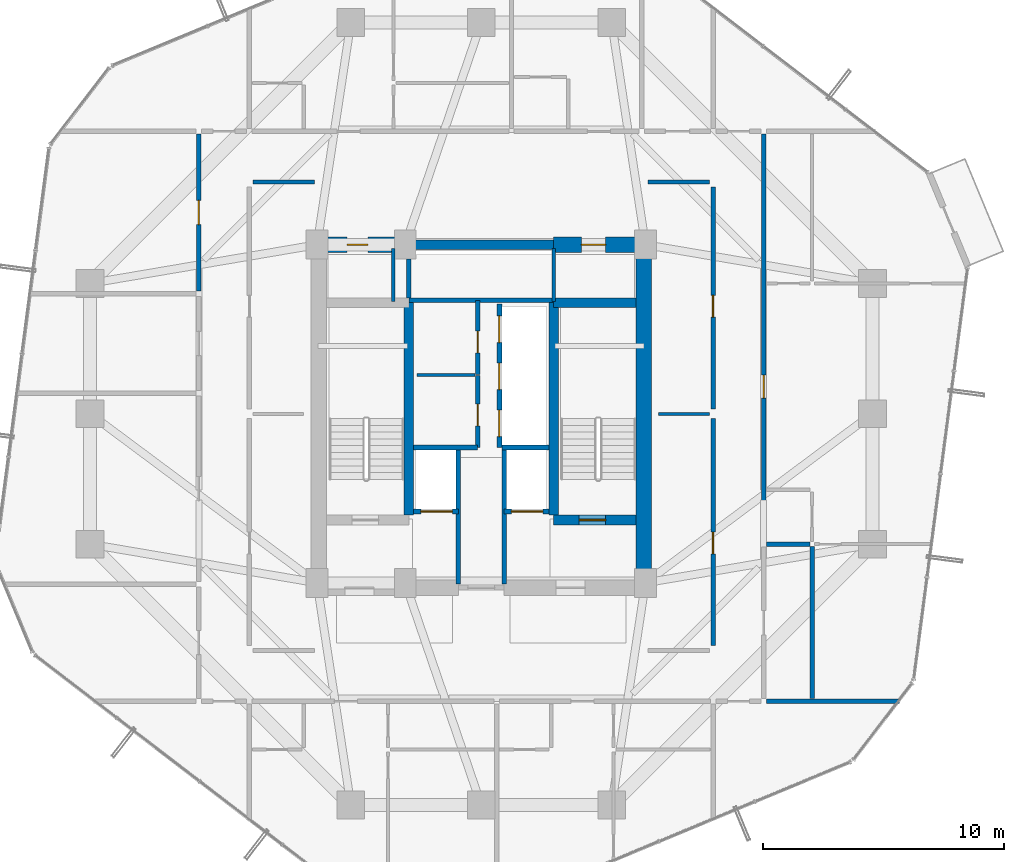
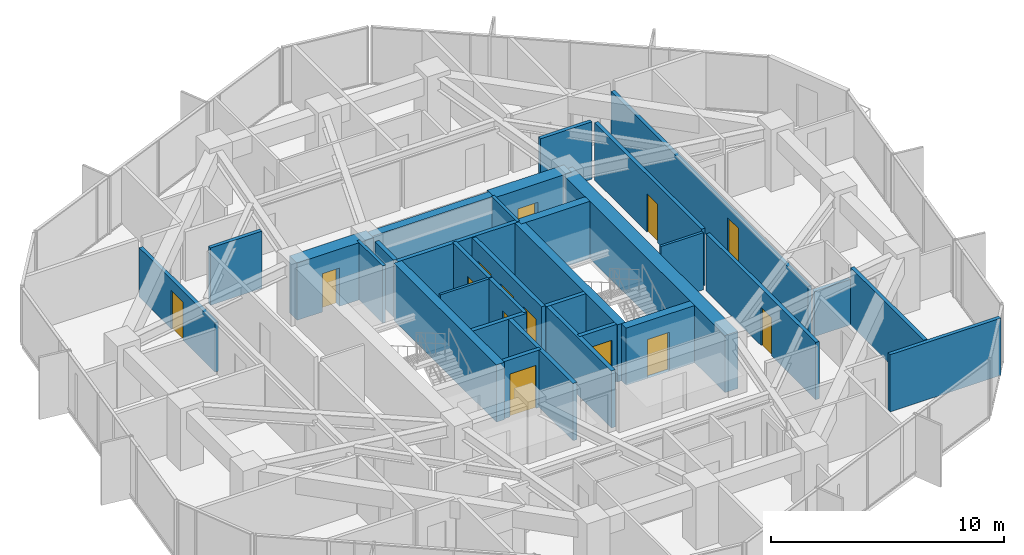
# One storey, part 26 of 30: 32 walls, 14 doors, 14 openings.
"""IFC4 building model written with IfcOpenShell, lengths in metres."""

from ifc_helpers import new_model, si_unit, direction, frame, frame_2d, origin, place, context, subcontext, project, spatial, rectangle, extrude, source, transform, mapped, material, layer, layer_set, type_object, element, fill, save


model = new_model("IFC4")

# Units and contexts
model_context = context("Model", 3, precision=1e-05, world=origin(), true_north=direction((0.0, 1.0)))
body_context = subcontext(model_context, "Body", "Model", "MODEL_VIEW")
ifc_project = project(units=[si_unit("LENGTHUNIT", "METRE"), si_unit("AREAUNIT", "SQUARE_METRE"), si_unit("VOLUMEUNIT", "CUBIC_METRE"), si_unit("PLANEANGLEUNIT", "RADIAN"), si_unit("MASSUNIT", "GRAM", prefix="KILO")], contexts=[model_context])

# Site, building, storey
site_placement = place(None, origin())
site = spatial("IfcSite", under=ifc_project, at=site_placement, CompositionType="ELEMENT")
building_placement = place(site_placement, origin())
building = spatial("IfcBuilding", under=site, at=building_placement, Name="Veraguas Prism Commons", CompositionType="ELEMENT")
storey_placement = place(building_placement, frame((0.0, 0.0, 102.449951171875)))
storey = spatial("IfcBuildingStorey", under=building, at=storey_placement, Name="L28", CompositionType="ELEMENT", Elevation=102.449951171875)

# Wall
ifc_material_1 = material(Name="Concrete C50/60", Category="concrete")
ifc_layer_1 = layer(ifc_material_1, 0.39990234375, Name="Clinic and Mid Core Shear Wall RC 400", Category="concrete")
ifc_layer_set_1 = layer_set([ifc_layer_1], Name="Concrete C50/60")
wall_type_1 = type_object("IfcWallType", Name="Clinic and Mid Core Shear Wall RC 400", PredefinedType="SHEAR", material=ifc_layer_set_1)
wall_1_placement = place(storey_placement, frame((21.0, 31.0, 0.0), z_axis=(0.0, 0.0, 1.0), x_axis=(1.0, 0.0, 0.0)))
element("IfcWall", 1, at=wall_1_placement, inside=storey, type_object=wall_type_1, Name="High-Rise Lift Bank Front Shear Wall L28", PredefinedType="SHEAR", context=body_context, shape_type="SweptSolid", body=[
    extrude(rectangle(XDim=6.0, YDim=0.39990234375, at=frame_2d((3.0, 0.0))), origin(), (0.0, 0.0, 1.0), 3.0),
])

# Wall, opening, door
wall_2_placement = place(storey_placement, frame((27.0, 19.60009765625, 0.0), z_axis=(0.0, 0.0, 1.0), x_axis=(1.0, 0.0, 0.0)))
wall_2 = element("IfcWall", 2, at=wall_2_placement, inside=storey, type_object=wall_type_1, Name="Stair ST-02 South Shear Wall L28", PredefinedType="SHEAR", context=body_context, shape_type="SweptSolid", body=[
    extrude(rectangle(XDim=3.39990234375, YDim=0.39990234375, at=frame_2d((1.699951171875, 0.0))), origin(), (0.0, 0.0, 1.0), 3.0),
])
opening_1_placement = place(wall_2_placement, frame((1.050048828125, 0.0, 0.0)))
opening_1 = element("IfcOpeningElement", 3, at=opening_1_placement, cuts=wall_2, Name="Opening DR-05", PredefinedType="OPENING", context=body_context, shape_type="SweptSolid", body=[
    extrude(rectangle(XDim=1.10009765625, YDim=2.030029296875, at=frame_2d((0.550048828125, 1.01513671875))), frame((0.0, 0.2099609375, 0.0), z_axis=(0.0, -1.0, 0.0), x_axis=(1.0, 0.0, 0.0)), (0.0, 0.0, 1.0), 0.419921875),
])
ifc_material_2 = material(Name="Steel fire-rated door assembly", Category="steel")
door_type_1 = type_object("IfcDoorType", Name="Protected Stair and Refuge Fire Door 1100x2030", OperationType="NOTDEFINED", PredefinedType="DOOR", material=ifc_material_2)
shared_shape_1 = source(origin(), body_context, "Body", "SweptSolid", [
    extrude(rectangle(XDim=1.10009765625, YDim=2.030029296875, at=frame_2d((0.550048828125, 1.01513671875))), frame((0.0, 0.02490234375, 0.0), z_axis=(0.0, -1.0, 0.0), x_axis=(1.0, 0.0, 0.0)), (0.0, 0.0, 1.0), 0.050048828125),
])
door_1_placement = place(opening_1_placement, origin())
door_1 = element("IfcDoor", 4, at=door_1_placement, inside=storey, type_object=door_type_1, Name="Stair ST-02 Enclosure Door L28", OperationType="SINGLE_SWING_LEFT", OverallHeight=2.030029296875, OverallWidth=1.10009765625, PredefinedType="DOOR", context=body_context, shape_type="MappedRepresentation", body=[
    mapped(shared_shape_1, transform((0.0, 0.0, 0.0), scale=1.0)),
])
fill(opening_1, door_1)

# Walls
for number, where, z_axis, x_axis, name in (
    (5, (21.0, 19.800048828125, 0.0), (0.0, 0.0, 1.0), (0.0, 1.0, 0.0), "Stair ST-01 Inner Shear Wall L28"),
    (6, (27.0, 19.800048828125, 0.0), (0.0, 0.0, 1.0), (0.0, 1.0, 0.0), "Stair ST-02 Inner Shear Wall L28"),
):
    element("IfcWall", number, at=place(storey_placement, frame(where, z_axis=z_axis, x_axis=x_axis)), inside=storey, type_object=wall_type_1, Name=name, PredefinedType="SHEAR", context=body_context, shape_type="SweptSolid", body=[
        extrude(rectangle(XDim=8.800048828125, YDim=0.39990234375, at=frame_2d((4.39990234375, 0.0))), origin(), (0.0, 0.0, 1.0), 3.0),
    ])
wall_3_placement = place(storey_placement, frame((27.0, 28.60009765625, 0.0), z_axis=(0.0, 0.0, 1.0), x_axis=(1.0, 0.0, 0.0)))
element("IfcWall", 7, at=wall_3_placement, inside=storey, type_object=wall_type_1, Name="Stair ST-02 North Shear Wall L28", PredefinedType="SHEAR", context=body_context, shape_type="SweptSolid", body=[
    extrude(rectangle(XDim=3.39990234375, YDim=0.39990234375, at=frame_2d((1.699951171875, 0.0))), origin(), (0.0, 0.0, 1.0), 3.0),
])
ifc_material_3 = material(Name="Concrete C55/67", Category="concrete")
ifc_layer_2 = layer(ifc_material_3, 0.64990234375, Name="Core Outer Shear Wall Mid RC 650", Category="concrete")
ifc_layer_set_2 = layer_set([ifc_layer_2], Name="Concrete C55/67")
wall_type_2 = type_object("IfcWallType", Name="Core Outer Shear Wall Mid RC 650", PredefinedType="SHEAR", material=ifc_layer_set_2)
wall_4_placement = place(storey_placement, frame((30.72509765625, 16.800048828125, 0.0), z_axis=(0.0, 0.0, 1.0), x_axis=(0.0, 1.0, 0.0)))
element("IfcWall", 8, at=wall_4_placement, inside=storey, type_object=wall_type_2, Name="Central Core East Shear Wall L28", PredefinedType="SHEAR", context=body_context, shape_type="SweptSolid", body=[
    extrude(rectangle(XDim=14.199951171875, YDim=0.64990234375, at=frame_2d((7.10009765625, 0.0))), origin(), (0.0, 0.0, 1.0), 3.0),
])

# Wall, opening, door
wall_5_placement = place(storey_placement, frame((17.199951171875, 31.0, 0.0), z_axis=(0.0, 0.0, 1.0), x_axis=(1.0, 0.0, 0.0)))
wall_5 = element("IfcWall", 9, at=wall_5_placement, inside=storey, type_object=wall_type_2, Name="Central Core North-West Shear Wall L28", PredefinedType="SHEAR", context=body_context, shape_type="SweptSolid", body=[
    extrude(rectangle(XDim=3.800048828125, YDim=0.64990234375, at=frame_2d((1.89990234375, 0.0))), origin(), (0.0, 0.0, 1.0), 3.0),
])
opening_2_placement = place(wall_5_placement, frame((1.25, 0.0, 0.0)))
opening_2 = element("IfcOpeningElement", 10, at=opening_2_placement, cuts=wall_5, Name="Opening DR-12", PredefinedType="OPENING", context=body_context, shape_type="SweptSolid", body=[
    extrude(rectangle(XDim=0.860107421875, YDim=2.010009765625, at=frame_2d((0.43017578125, 1.0048828125))), frame((0.0, 0.3349609375, 0.0), z_axis=(0.0, -1.0, 0.0), x_axis=(1.0, 0.0, 0.0)), (0.0, 0.0, 1.0), 0.669921875),
])
door_type_2 = type_object("IfcDoorType", Name="Core WC Fire Door 860x2010", OperationType="NOTDEFINED", PredefinedType="DOOR", material=ifc_material_2)
shared_shape_2 = source(origin(), body_context, "Body", "SweptSolid", [
    extrude(rectangle(XDim=0.860107421875, YDim=2.010009765625, at=frame_2d((0.43017578125, 1.0048828125))), frame((0.0, 0.02490234375, 0.0), z_axis=(0.0, -1.0, 0.0), x_axis=(1.0, 0.0, 0.0)), (0.0, 0.0, 1.0), 0.050048828125),
])
door_2_placement = place(opening_2_placement, origin())
door_2 = element("IfcDoor", 11, at=door_2_placement, inside=storey, type_object=door_type_2, Name="Core NW Service Door L28", OperationType="SINGLE_SWING_RIGHT", OverallHeight=2.010009765625, OverallWidth=0.860107421875, PredefinedType="DOOR", context=body_context, shape_type="MappedRepresentation", body=[
    mapped(shared_shape_2, transform((0.0, 0.0, 0.0), scale=1.0)),
])
fill(opening_2, door_2)

wall_6_placement = place(storey_placement, frame((27.0, 31.0, 0.0), z_axis=(0.0, 0.0, 1.0), x_axis=(1.0, 0.0, 0.0)))
wall_6 = element("IfcWall", 12, at=wall_6_placement, inside=storey, type_object=wall_type_2, Name="Central Core North-East Shear Wall L28", PredefinedType="SHEAR", context=body_context, shape_type="SweptSolid", body=[
    extrude(rectangle(XDim=3.800048828125, YDim=0.64990234375, at=frame_2d((1.89990234375, 0.0))), origin(), (0.0, 0.0, 1.0), 3.0),
])
opening_3_placement = place(wall_6_placement, frame((1.14990234375, 0.0, 0.0)))
opening_3 = element("IfcOpeningElement", 13, at=opening_3_placement, cuts=wall_6, Name="Opening DR-13", PredefinedType="OPENING", context=body_context, shape_type="SweptSolid", body=[
    extrude(rectangle(XDim=1.0, YDim=2.010009765625, at=frame_2d((0.5, 1.0048828125))), frame((0.0, 0.3349609375, 0.0), z_axis=(0.0, -1.0, 0.0), x_axis=(1.0, 0.0, 0.0)), (0.0, 0.0, 1.0), 0.669921875),
])
door_type_3 = type_object("IfcDoorType", Name="Core Accessible WC and Clinic Fire Door 1000x2010", OperationType="NOTDEFINED", PredefinedType="DOOR", material=ifc_material_2)
shared_shape_3 = source(origin(), body_context, "Body", "SweptSolid", [
    extrude(rectangle(XDim=1.0, YDim=2.010009765625, at=frame_2d((0.5, 1.0048828125))), frame((0.0, 0.02490234375, 0.0), z_axis=(0.0, -1.0, 0.0), x_axis=(1.0, 0.0, 0.0)), (0.0, 0.0, 1.0), 0.050048828125),
])
door_3_placement = place(opening_3_placement, origin())
door_3 = element("IfcDoor", 14, at=door_3_placement, inside=storey, type_object=door_type_3, Name="Core NE Pantry Door L28", OperationType="SINGLE_SWING_LEFT", OverallHeight=2.010009765625, OverallWidth=1.0, PredefinedType="DOOR", context=body_context, shape_type="MappedRepresentation", body=[
    mapped(shared_shape_3, transform((0.0, 0.0, 0.0), scale=1.0)),
])
fill(opening_3, door_3)

ifc_material_4 = material(Name="Autoclaved aerated masonry block 10 MPa", Category="masonry")
ifc_layer_3 = layer(ifc_material_4, 0.179931640625, Name="Corridor and Inter-Tenancy Partition 180", Category="masonry")
ifc_layer_set_3 = layer_set([ifc_layer_3], Name="Autoclaved aerated masonry block 10 MPa")
wall_type_3 = type_object("IfcWallType", Name="Corridor and Inter-Tenancy Partition 180", PredefinedType="PARTITIONING", material=ifc_layer_set_3)
wall_7_placement = place(storey_placement, frame((23.85009765625, 22.60009765625, 0.0), z_axis=(0.0, 0.0, 1.0), x_axis=(0.0, 1.0, 0.0)))
wall_7 = element("IfcWall", 15, at=wall_7_placement, inside=storey, type_object=wall_type_3, Name="Co-op Pantry Partition L28", PredefinedType="PARTITIONING", context=body_context, shape_type="SweptSolid", body=[
    extrude(rectangle(XDim=2.97998046875, YDim=0.179931640625, at=frame_2d((1.489990234375, 0.0))), origin(), (0.0, 0.0, 1.0), 3.0),
])
opening_4_placement = place(wall_7_placement, frame((0.89990234375, 0.0, 0.0)))
opening_4 = element("IfcOpeningElement", 16, at=opening_4_placement, cuts=wall_7, Name="Opening DR-14", PredefinedType="OPENING", context=body_context, shape_type="SweptSolid", body=[
    extrude(rectangle(XDim=0.89990234375, YDim=2.010009765625, at=frame_2d((0.449951171875, 1.0048828125))), frame((0.0, 0.099853515625, 0.0), z_axis=(0.0, -1.0, 0.0), x_axis=(1.0, 0.0, 0.0)), (0.0, 0.0, 1.0), 0.199951171875),
])
door_type_4 = type_object("IfcDoorType", Name="Core Service Room Fire Door 900x2010", OperationType="NOTDEFINED", PredefinedType="DOOR", material=ifc_material_2)
shared_shape_4 = source(origin(), body_context, "Body", "SweptSolid", [
    extrude(rectangle(XDim=0.89990234375, YDim=2.010009765625, at=frame_2d((0.449951171875, 1.0048828125))), frame((0.0, 0.02490234375, 0.0), z_axis=(0.0, -1.0, 0.0), x_axis=(1.0, 0.0, 0.0)), (0.0, 0.0, 1.0), 0.050048828125),
])
door_4_placement = place(opening_4_placement, origin())
door_4 = element("IfcDoor", 17, at=door_4_placement, inside=storey, type_object=door_type_4, Name="Co-op Pantry Door L28", OperationType="SINGLE_SWING_RIGHT", OverallHeight=2.010009765625, OverallWidth=0.89990234375, PredefinedType="DOOR", context=body_context, shape_type="MappedRepresentation", body=[
    mapped(shared_shape_4, transform((0.0, 0.0, 0.0), scale=1.0)),
])
fill(opening_4, door_4)

wall_8_placement = place(storey_placement, frame((23.85009765625, 25.6201171875, 0.0), z_axis=(0.0, 0.0, 1.0), x_axis=(0.0, 1.0, 0.0)))
wall_8 = element("IfcWall", 18, at=wall_8_placement, inside=storey, type_object=wall_type_3, Name="Bookshop Alcove Partition L28", PredefinedType="PARTITIONING", context=body_context, shape_type="SweptSolid", body=[
    extrude(rectangle(XDim=3.079833984375, YDim=0.179931640625, at=frame_2d((1.5400390625, 0.0))), origin(), (0.0, 0.0, 1.0), 3.0),
])
opening_5_placement = place(wall_8_placement, frame((0.89990234375, 0.0, 0.0)))
opening_5 = element("IfcOpeningElement", 19, at=opening_5_placement, cuts=wall_8, Name="Opening DR-14", PredefinedType="OPENING", context=body_context, shape_type="SweptSolid", body=[
    extrude(rectangle(XDim=0.89990234375, YDim=2.010009765625, at=frame_2d((0.449951171875, 1.0048828125))), frame((0.0, 0.099853515625, 0.0), z_axis=(0.0, -1.0, 0.0), x_axis=(1.0, 0.0, 0.0)), (0.0, 0.0, 1.0), 0.199951171875),
])
door_5_placement = place(opening_5_placement, origin())
door_5 = element("IfcDoor", 20, at=door_5_placement, inside=storey, type_object=door_type_4, Name="Bookshop Alcove Door L28", OperationType="SINGLE_SWING_LEFT", OverallHeight=2.010009765625, OverallWidth=0.89990234375, PredefinedType="DOOR", context=body_context, shape_type="MappedRepresentation", body=[
    mapped(shared_shape_4, transform((0.0, 0.0, 0.0), scale=1.0)),
])
fill(opening_5, door_5)

wall_9_placement = place(storey_placement, frame((33.60009765625, 14.39990234375, 0.0), z_axis=(0.0, 0.0, 1.0), x_axis=(0.0, 1.0, 0.0)))
wall_9 = element("IfcWall", 21, at=wall_9_placement, inside=storey, type_object=wall_type_3, Name="WL-L28-IRE1", PredefinedType="PARTITIONING", context=body_context, shape_type="SweptSolid", body=[
    extrude(rectangle(XDim=9.400146484375, YDim=0.179931640625, at=frame_2d((4.7001953125, 0.0))), origin(), (0.0, 0.0, 1.0), 3.0),
])
opening_6_placement = place(wall_9_placement, frame((3.800048828125, 0.0, 0.0)))
opening_6 = element("IfcOpeningElement", 22, at=opening_6_placement, cuts=wall_9, Name="Opening DR-14", PredefinedType="OPENING", context=body_context, shape_type="SweptSolid", body=[
    extrude(rectangle(XDim=0.89990234375, YDim=2.010009765625, at=frame_2d((0.449951171875, 1.0048828125))), frame((0.0, 0.099853515625, 0.0), z_axis=(0.0, -1.0, 0.0), x_axis=(1.0, 0.0, 0.0)), (0.0, 0.0, 1.0), 0.199951171875),
])
door_6_placement = place(opening_6_placement, origin())
door_6 = element("IfcDoor", 23, at=door_6_placement, inside=storey, type_object=door_type_4, Name="Shared Laundry Annex Door L28", OperationType="SINGLE_SWING_RIGHT", OverallHeight=2.010009765625, OverallWidth=0.89990234375, PredefinedType="DOOR", context=body_context, shape_type="MappedRepresentation", body=[
    mapped(shared_shape_4, transform((0.0, 0.0, 0.0), scale=1.0)),
])
fill(opening_6, door_6)

wall_10_placement = place(storey_placement, frame((33.60009765625, 24.199951171875, 0.0), z_axis=(0.0, 0.0, 1.0), x_axis=(0.0, 1.0, 0.0)))
wall_10 = element("IfcWall", 24, at=wall_10_placement, inside=storey, type_object=wall_type_3, Name="WL-L28-IRE2", PredefinedType="PARTITIONING", context=body_context, shape_type="SweptSolid", body=[
    extrude(rectangle(XDim=9.199951171875, YDim=0.179931640625, at=frame_2d((4.60009765625, 0.0))), origin(), (0.0, 0.0, 1.0), 3.0),
])
opening_7_placement = place(wall_10_placement, frame((3.800048828125, 0.0, 0.0)))
opening_7 = element("IfcOpeningElement", 25, at=opening_7_placement, cuts=wall_10, Name="Opening DR-14", PredefinedType="OPENING", context=body_context, shape_type="SweptSolid", body=[
    extrude(rectangle(XDim=0.89990234375, YDim=2.010009765625, at=frame_2d((0.449951171875, 1.0048828125))), frame((0.0, 0.099853515625, 0.0), z_axis=(0.0, -1.0, 0.0), x_axis=(1.0, 0.0, 0.0)), (0.0, 0.0, 1.0), 0.199951171875),
])
door_7_placement = place(opening_7_placement, origin())
door_7 = element("IfcDoor", 26, at=door_7_placement, inside=storey, type_object=door_type_4, Name="Community Reading Alcove Door L28", OperationType="SINGLE_SWING_LEFT", OverallHeight=2.010009765625, OverallWidth=0.89990234375, PredefinedType="DOOR", context=body_context, shape_type="MappedRepresentation", body=[
    mapped(shared_shape_4, transform((0.0, 0.0, 0.0), scale=1.0)),
])
fill(opening_7, door_7)

# Walls
for number, where, z_axis, x_axis, name in (
    (27, (14.550048828125, 33.60009765625, 0.0), (0.0, 0.0, 1.0), (1.0, 0.0, 0.0), "WL-L28-IRWN"),
    (28, (30.89990234375, 33.60009765625, 0.0), (0.0, 0.0, 1.0), (1.0, 0.0, 0.0), "WL-L28-IREN"),
):
    element("IfcWall", number, at=place(storey_placement, frame(where, z_axis=z_axis, x_axis=x_axis)), inside=storey, type_object=wall_type_3, Name=name, PredefinedType="PARTITIONING", context=body_context, shape_type="SweptSolid", body=[
        extrude(rectangle(XDim=2.550048828125, YDim=0.179931640625, at=frame_2d((1.27490234375, 0.0))), origin(), (0.0, 0.0, 1.0), 3.0),
    ])

# Wall, opening, door
wall_11_placement = place(storey_placement, frame((12.300048828125, 29.083984375, 0.0), z_axis=(0.0, 0.0, 1.0), x_axis=(0.0, 1.0, 0.0)))
wall_11 = element("IfcWall", 29, at=wall_11_placement, inside=storey, type_object=wall_type_3, Name="WL-L28-PT037", PredefinedType="PARTITIONING", context=body_context, shape_type="SweptSolid", body=[
    extrude(rectangle(XDim=6.506103515625, YDim=0.179931640625, at=frame_2d((3.2529296875, 0.0))), origin(), (0.0, 0.0, 1.0), 2.580078125),
])
opening_8_placement = place(wall_11_placement, frame((2.7529296875, 0.0, 0.0)))
opening_8 = element("IfcOpeningElement", 30, at=opening_8_placement, cuts=wall_11, Name="Opening DR-13", PredefinedType="OPENING", context=body_context, shape_type="SweptSolid", body=[
    extrude(rectangle(XDim=1.0, YDim=2.010009765625, at=frame_2d((0.5, 1.0048828125))), frame((0.0, 0.099853515625, 0.0), z_axis=(0.0, -1.0, 0.0), x_axis=(1.0, 0.0, 0.0)), (0.0, 0.0, 1.0), 0.199951171875),
])
door_8_placement = place(opening_8_placement, origin())
door_8 = element("IfcDoor", 31, at=door_8_placement, inside=storey, type_object=door_type_3, Name="Co-op Store W Door", OperationType="SINGLE_SWING_RIGHT", OverallHeight=2.010009765625, OverallWidth=1.0, PredefinedType="DOOR", context=body_context, shape_type="MappedRepresentation", body=[
    mapped(shared_shape_3, transform((0.0, 0.0, 0.0), scale=1.0)),
])
fill(opening_8, door_8)

# Wall
wall_12_placement = place(storey_placement, frame((35.820068359375, 12.10009765625, 0.0), z_axis=(0.0, 0.0, 1.0), x_axis=(1.0, 0.0, 0.0)))
element("IfcWall", 32, at=wall_12_placement, inside=storey, type_object=wall_type_3, Name="WL-L28-PT039", PredefinedType="PARTITIONING", context=body_context, shape_type="SweptSolid", body=[
    extrude(rectangle(XDim=5.493896484375, YDim=0.179931640625, at=frame_2d((2.7470703125, 0.0))), origin(), (0.0, 0.0, 1.0), 3.0),
])

# Wall, opening, door
wall_13_placement = place(storey_placement, frame((35.699951171875, 18.7099609375, 0.0), z_axis=(0.0, 0.0, 1.0), x_axis=(0.0, 1.0, 0.0)))
wall_13 = element("IfcWall", 33, at=wall_13_placement, inside=storey, type_object=wall_type_3, Name="WL-L28-PT042", PredefinedType="PARTITIONING", context=body_context, shape_type="SweptSolid", body=[
    extrude(rectangle(XDim=16.880126953125, YDim=0.179931640625, at=frame_2d((8.43994140625, 0.0))), origin(), (0.0, 0.0, 1.0), 2.580078125),
])
opening_9_placement = place(wall_13_placement, frame((5.93994140625, 0.0, 0.0)))
opening_9 = element("IfcOpeningElement", 34, at=opening_9_placement, cuts=wall_13, Name="Opening DR-01", PredefinedType="OPENING", context=body_context, shape_type="SweptSolid", body=[
    extrude(rectangle(XDim=0.949951171875, YDim=2.02001953125, at=frame_2d((0.47509765625, 1.010009765625))), frame((0.0, 0.099853515625, 0.0), z_axis=(0.0, -1.0, 0.0), x_axis=(1.0, 0.0, 0.0)), (0.0, 0.0, 1.0), 0.199951171875),
])
ifc_material_5 = material(Name="Anodised aluminium EN AW-6063 T6", Category="aluminium")
door_type_5 = type_object("IfcDoorType", Name="Apartment Entrance Fire Door 950x2020", OperationType="NOTDEFINED", PredefinedType="DOOR", material=ifc_material_5)
shared_shape_5 = source(origin(), body_context, "Body", "SweptSolid", [
    extrude(rectangle(XDim=0.949951171875, YDim=2.02001953125, at=frame_2d((0.47509765625, 1.010009765625))), frame((0.0, 0.02490234375, 0.0), z_axis=(0.0, -1.0, 0.0), x_axis=(1.0, 0.0, 0.0)), (0.0, 0.0, 1.0), 0.050048828125),
])
door_9_placement = place(opening_9_placement, origin())
door_9 = element("IfcDoor", 35, at=door_9_placement, inside=storey, type_object=door_type_5, Name="Flat 28E Entrance Door", OperationType="SINGLE_SWING_RIGHT", OverallHeight=2.02001953125, OverallWidth=0.949951171875, PredefinedType="DOOR", context=body_context, shape_type="MappedRepresentation", body=[
    mapped(shared_shape_5, transform((0.0, 0.0, 0.0), scale=1.0)),
])
fill(opening_9, door_9)

# Walls
wall_14_placement = place(storey_placement, frame((37.699951171875, 12.219970703125, 0.0), z_axis=(0.0, 0.0, 1.0), x_axis=(0.0, 1.0, 0.0)))
element("IfcWall", 36, at=wall_14_placement, inside=storey, type_object=wall_type_3, Name="WL-L28-PT043", PredefinedType="PARTITIONING", context=body_context, shape_type="SweptSolid", body=[
    extrude(rectangle(XDim=6.280029296875, YDim=0.179931640625, at=frame_2d((3.14013671875, 0.0))), origin(), (0.0, 0.0, 1.0), 3.0),
])
wall_15_placement = place(storey_placement, frame((35.820068359375, 18.60009765625, 0.0), z_axis=(0.0, 0.0, 1.0), x_axis=(1.0, 0.0, 0.0)))
element("IfcWall", 37, at=wall_15_placement, inside=storey, type_object=wall_type_3, Name="WL-L28-PT044", PredefinedType="PARTITIONING", context=body_context, shape_type="SweptSolid", body=[
    extrude(rectangle(XDim=1.800048828125, YDim=0.179931640625, at=frame_2d((0.89990234375, 0.0))), origin(), (0.0, 0.0, 1.0), 2.3779296875),
])
ifc_material_6 = material(Name="Lightweight acoustic gypsum board")
ifc_layer_4 = layer(ifc_material_6, 0.125, Name="Internal Apartment Room Partition 125")
ifc_layer_set_4 = layer_set([ifc_layer_4], Name="Lightweight acoustic gypsum board")
wall_type_4 = type_object("IfcWallType", Name="Internal Apartment Room Partition 125", PredefinedType="PARTITIONING", material=ifc_layer_set_4)
wall_16_placement = place(storey_placement, frame((21.35009765625, 25.60009765625, 0.0), z_axis=(0.0, 0.0, 1.0), x_axis=(1.0, 0.0, 0.0)))
element("IfcWall", 38, at=wall_16_placement, inside=storey, type_object=wall_type_4, Name="WL-L28-FRWLM", PredefinedType="PARTITIONING", context=body_context, shape_type="SweptSolid", body=[
    extrude(rectangle(XDim=2.39990234375, YDim=0.125, at=frame_2d((1.199951171875, 0.0))), origin(), (0.0, 0.0, 1.0), 3.0),
])
wall_17_placement = place(storey_placement, frame((31.35009765625, 24.0, 0.0), z_axis=(0.0, 0.0, 1.0), x_axis=(1.0, 0.0, 0.0)))
element("IfcWall", 39, at=wall_17_placement, inside=storey, type_object=wall_type_4, Name="WL-L28-IREM", PredefinedType="PARTITIONING", context=body_context, shape_type="SweptSolid", body=[
    extrude(rectangle(XDim=2.099853515625, YDim=0.125, at=frame_2d((1.0498046875, 0.0))), origin(), (0.0, 0.0, 1.0), 3.0),
])

# Wall, opening, door
ifc_layer_5 = layer(ifc_material_4, 0.199951171875, Name="Rated Shaft and Lobby Block Wall 200", Category="masonry")
ifc_layer_set_5 = layer_set([ifc_layer_5], Name="Autoclaved aerated masonry block 10 MPa")
wall_type_5 = type_object("IfcWallType", Name="Rated Shaft and Lobby Block Wall 200", PredefinedType="SOLIDWALL", material=ifc_layer_set_5)
wall_18_placement = place(storey_placement, frame((21.199951171875, 19.949951171875, 0.0), z_axis=(0.0, 0.0, 1.0), x_axis=(1.0, 0.0, 0.0)))
wall_18 = element("IfcWall", 40, at=wall_18_placement, inside=storey, type_object=wall_type_5, Name="Firefighting Lift FFL-1 Front Wall L28", PredefinedType="SOLIDWALL", context=body_context, shape_type="SweptSolid", body=[
    extrude(rectangle(XDim=1.85009765625, YDim=0.199951171875, at=frame_2d((0.925048828125, 0.0))), origin(), (0.0, 0.0, 1.0), 3.0),
])
opening_10_placement = place(wall_18_placement, frame((0.300048828125, 0.0, 0.0)))
opening_10 = element("IfcOpeningElement", 41, at=opening_10_placement, cuts=wall_18, Name="Opening LD-02", PredefinedType="OPENING", context=body_context, shape_type="SweptSolid", body=[
    extrude(rectangle(XDim=1.300048828125, YDim=2.25, at=frame_2d((0.64990234375, 1.125))), frame((0.0, 0.10986328125, 0.0), z_axis=(0.0, -1.0, 0.0), x_axis=(1.0, 0.0, 0.0)), (0.0, 0.0, 1.0), 0.219970703125),
])
ifc_material_7 = material(Name="Stainless steel AISI 316", Category="steel")
door_type_6 = type_object("IfcDoorType", Name="Firefighting Lift Sliding Landing Door 1300x2250", OperationType="NOTDEFINED", PredefinedType="DOOR", material=ifc_material_7)
shared_shape_6 = source(origin(), body_context, "Body", "SweptSolid", [
    extrude(rectangle(XDim=1.300048828125, YDim=2.25, at=frame_2d((0.64990234375, 1.125))), frame((0.0, 0.02490234375, 0.0), z_axis=(0.0, -1.0, 0.0), x_axis=(1.0, 0.0, 0.0)), (0.0, 0.0, 1.0), 0.050048828125),
])
door_10_placement = place(opening_10_placement, origin())
door_10 = element("IfcDoor", 42, at=door_10_placement, inside=storey, type_object=door_type_6, Name="Firefighting Lift FFL-1 Landing Door L28", OperationType="SLIDING_TO_LEFT", OverallHeight=2.25, OverallWidth=1.300048828125, PredefinedType="DOOR", context=body_context, shape_type="MappedRepresentation", body=[
    mapped(shared_shape_6, transform((0.0, 0.0, 0.0), scale=1.0)),
])
fill(opening_10, door_10)

wall_19_placement = place(storey_placement, frame((24.949951171875, 19.949951171875, 0.0), z_axis=(0.0, 0.0, 1.0), x_axis=(1.0, 0.0, 0.0)))
wall_19 = element("IfcWall", 43, at=wall_19_placement, inside=storey, type_object=wall_type_5, Name="Firefighting Lift FFL-2 Front Wall L28", PredefinedType="SOLIDWALL", context=body_context, shape_type="SweptSolid", body=[
    extrude(rectangle(XDim=1.85009765625, YDim=0.199951171875, at=frame_2d((0.925048828125, 0.0))), origin(), (0.0, 0.0, 1.0), 3.0),
])
opening_11_placement = place(wall_19_placement, frame((0.300048828125, 0.0, 0.0)))
opening_11 = element("IfcOpeningElement", 44, at=opening_11_placement, cuts=wall_19, Name="Opening LD-02", PredefinedType="OPENING", context=body_context, shape_type="SweptSolid", body=[
    extrude(rectangle(XDim=1.300048828125, YDim=2.25, at=frame_2d((0.64990234375, 1.125))), frame((0.0, 0.10986328125, 0.0), z_axis=(0.0, -1.0, 0.0), x_axis=(1.0, 0.0, 0.0)), (0.0, 0.0, 1.0), 0.219970703125),
])
door_11_placement = place(opening_11_placement, origin())
door_11 = element("IfcDoor", 45, at=door_11_placement, inside=storey, type_object=door_type_6, Name="Firefighting Lift FFL-2 Front Wall L28", OperationType="SLIDING_TO_LEFT", OverallHeight=2.25, OverallWidth=1.300048828125, PredefinedType="DOOR", context=body_context, shape_type="MappedRepresentation", body=[
    mapped(shared_shape_6, transform((0.0, 0.0, 0.0), scale=1.0)),
])
fill(opening_11, door_11)

# Walls
for number, where, z_axis, x_axis, name in (
    (46, (23.050048828125, 16.949951171875, 0.0), (0.0, 0.0, 1.0), (0.0, 1.0, 0.0), "West FF Lobby Divider Wall L28"),
    (47, (24.949951171875, 16.949951171875, 0.0), (0.0, 0.0, 1.0), (0.0, 1.0, 0.0), "East FF Lobby Divider Wall L28"),
):
    element("IfcWall", number, at=place(storey_placement, frame(where, z_axis=z_axis, x_axis=x_axis)), inside=storey, type_object=wall_type_5, Name=name, PredefinedType="SOLIDWALL", context=body_context, shape_type="SweptSolid", body=[
        extrude(rectangle(XDim=5.60009765625, YDim=0.199951171875, at=frame_2d((2.800048828125, 0.0))), origin(), (0.0, 0.0, 1.0), 3.0),
    ])
wall_20_placement = place(storey_placement, frame((21.199951171875, 22.60009765625, 0.0), z_axis=(0.0, 0.0, 1.0), x_axis=(1.0, 0.0, 0.0)))
element("IfcWall", 48, at=wall_20_placement, inside=storey, type_object=wall_type_5, Name="Firefighting Lift FFL-1 Rear Wall L28", PredefinedType="SOLIDWALL", context=body_context, shape_type="SweptSolid", body=[
    extrude(rectangle(XDim=2.650146484375, YDim=0.199951171875, at=frame_2d((1.3251953125, 0.0))), origin(), (0.0, 0.0, 1.0), 3.0),
])
wall_21_placement = place(storey_placement, frame((24.85009765625, 22.60009765625, 0.0), z_axis=(0.0, 0.0, 1.0), x_axis=(1.0, 0.0, 0.0)))
element("IfcWall", 49, at=wall_21_placement, inside=storey, type_object=wall_type_5, Name="Firefighting Lift FFL-2 Rear Wall L28", PredefinedType="SOLIDWALL", context=body_context, shape_type="SweptSolid", body=[
    extrude(rectangle(XDim=1.949951171875, YDim=0.199951171875, at=frame_2d((0.97509765625, 0.0))), origin(), (0.0, 0.0, 1.0), 3.0),
])
wall_22_placement = place(storey_placement, frame((21.0, 28.699951171875, 0.0), z_axis=(0.0, 0.0, 1.0), x_axis=(1.0, 0.0, 0.0)))
element("IfcWall", 50, at=wall_22_placement, inside=storey, type_object=wall_type_5, Name="High-Rise Lift Bank Rear Shaft Wall L28", PredefinedType="SOLIDWALL", context=body_context, shape_type="SweptSolid", body=[
    extrude(rectangle(XDim=6.0, YDim=0.199951171875, at=frame_2d((3.0, 0.0))), origin(), (0.0, 0.0, 1.0), 3.0),
])
wall_23_placement = place(storey_placement, frame((21.0, 28.800048828125, 0.0), z_axis=(0.0, 0.0, 1.0), x_axis=(0.0, 1.0, 0.0)))
element("IfcWall", 51, at=wall_23_placement, inside=storey, type_object=wall_type_5, Name="High-Rise Lift Bank West Shaft Wall L28", PredefinedType="SOLIDWALL", context=body_context, shape_type="SweptSolid", body=[
    extrude(rectangle(XDim=1.599853515625, YDim=0.199951171875, at=frame_2d((0.7998046875, 0.0))), origin(), (0.0, 0.0, 1.0), 3.0),
])

# Wall, openings, doors
wall_24_placement = place(storey_placement, frame((24.75, 22.60009765625, 0.0), z_axis=(0.0, 0.0, 1.0), x_axis=(0.0, 1.0, 0.0)))
wall_24 = element("IfcWall", 52, at=wall_24_placement, inside=storey, type_object=wall_type_5, Name="Mid-Rise Lift Bank Front Wall L28", PredefinedType="SOLIDWALL", context=body_context, shape_type="SweptSolid", body=[
    extrude(rectangle(XDim=5.949951171875, YDim=0.199951171875, at=frame_2d((2.97509765625, 0.0))), origin(), (0.0, 0.0, 1.0), 3.0),
])
opening_12_placement = place(wall_24_placement, frame((0.449951171875, 0.0, 0.0)))
opening_12 = element("IfcOpeningElement", 53, at=opening_12_placement, cuts=wall_24, Name="Opening LD-01", PredefinedType="OPENING", context=body_context, shape_type="SweptSolid", body=[
    extrude(rectangle(XDim=1.10009765625, YDim=2.080078125, at=frame_2d((0.550048828125, 1.0400390625))), frame((0.0, 0.10986328125, 0.0), z_axis=(0.0, -1.0, 0.0), x_axis=(1.0, 0.0, 0.0)), (0.0, 0.0, 1.0), 0.219970703125),
])
opening_13_placement = place(wall_24_placement, frame((2.39990234375, 0.0, 0.0)))
opening_13 = element("IfcOpeningElement", 54, at=opening_13_placement, cuts=wall_24, Name="Opening LD-01", PredefinedType="OPENING", context=body_context, shape_type="SweptSolid", body=[
    extrude(rectangle(XDim=1.10009765625, YDim=2.080078125, at=frame_2d((0.550048828125, 1.0400390625))), frame((0.0, 0.10986328125, 0.0), z_axis=(0.0, -1.0, 0.0), x_axis=(1.0, 0.0, 0.0)), (0.0, 0.0, 1.0), 0.219970703125),
])
opening_14_placement = place(wall_24_placement, frame((4.35009765625, 0.0, 0.0)))
opening_14 = element("IfcOpeningElement", 55, at=opening_14_placement, cuts=wall_24, Name="Opening LD-01", PredefinedType="OPENING", context=body_context, shape_type="SweptSolid", body=[
    extrude(rectangle(XDim=1.10009765625, YDim=2.080078125, at=frame_2d((0.550048828125, 1.0400390625))), frame((0.0, 0.10986328125, 0.0), z_axis=(0.0, -1.0, 0.0), x_axis=(1.0, 0.0, 0.0)), (0.0, 0.0, 1.0), 0.219970703125),
])
door_type_7 = type_object("IfcDoorType", Name="Passenger Lift Sliding Landing Door 1100x2080", OperationType="NOTDEFINED", PredefinedType="DOOR", material=ifc_material_7)
shared_shape_7 = source(origin(), body_context, "Body", "SweptSolid", [
    extrude(rectangle(XDim=1.10009765625, YDim=2.080078125, at=frame_2d((0.550048828125, 1.0400390625))), frame((0.0, 0.02490234375, 0.0), z_axis=(0.0, -1.0, 0.0), x_axis=(1.0, 0.0, 0.0)), (0.0, 0.0, 1.0), 0.050048828125),
])
door_12_placement = place(opening_12_placement, origin())
door_12 = element("IfcDoor", 56, at=door_12_placement, inside=storey, type_object=door_type_7, Name="Sliding Landing Door PL-M1 L28", OperationType="SLIDING_TO_LEFT", OverallHeight=2.080078125, OverallWidth=1.10009765625, PredefinedType="DOOR", context=body_context, shape_type="MappedRepresentation", body=[
    mapped(shared_shape_7, transform((0.0, 0.0, 0.0), scale=1.0)),
])
fill(opening_12, door_12)
door_13_placement = place(opening_13_placement, origin())
door_13 = element("IfcDoor", 57, at=door_13_placement, inside=storey, type_object=door_type_7, Name="Sliding Landing Door PL-M2 L28", OperationType="SLIDING_TO_LEFT", OverallHeight=2.080078125, OverallWidth=1.10009765625, PredefinedType="DOOR", context=body_context, shape_type="MappedRepresentation", body=[
    mapped(shared_shape_7, transform((0.0, 0.0, 0.0), scale=1.0)),
])
fill(opening_13, door_13)
door_14_placement = place(opening_14_placement, origin())
door_14 = element("IfcDoor", 58, at=door_14_placement, inside=storey, type_object=door_type_7, Name="Sliding Landing Door PL-M3 L28", OperationType="SLIDING_TO_LEFT", OverallHeight=2.080078125, OverallWidth=1.10009765625, PredefinedType="DOOR", context=body_context, shape_type="MappedRepresentation", body=[
    mapped(shared_shape_7, transform((0.0, 0.0, 0.0), scale=1.0)),
])
fill(opening_14, door_14)

# Walls
ifc_layer_6 = layer(ifc_material_6, 0.14990234375, Name="Wet Room and Clinic Acoustic Partition 150")
ifc_layer_set_6 = layer_set([ifc_layer_6], Name="Lightweight acoustic gypsum board")
wall_type_6 = type_object("IfcWallType", Name="Wet Room and Clinic Acoustic Partition 150", PredefinedType="PARTITIONING", material=ifc_layer_set_6)
for number, where, z_axis, x_axis, name in (
    (59, (20.35009765625, 28.64990234375, 0.0), (0.0, 0.0, 1.0), (0.0, 1.0, 0.0), "Core NW Service Inner Wall L28"),
    (60, (27.0, 28.64990234375, 0.0), (0.0, 0.0, 1.0), (0.0, 1.0, 0.0), "Core NE Service Inner Wall L28"),
):
    element("IfcWall", number, at=place(storey_placement, frame(where, z_axis=z_axis, x_axis=x_axis)), inside=storey, type_object=wall_type_6, Name=name, PredefinedType="PARTITIONING", context=body_context, shape_type="SweptSolid", body=[
        extrude(rectangle(XDim=2.2001953125, YDim=0.14990234375, at=frame_2d((1.10009765625, 0.0))), origin(), (0.0, 0.0, 1.0), 3.0),
    ])

save(model, "model.ifc")
